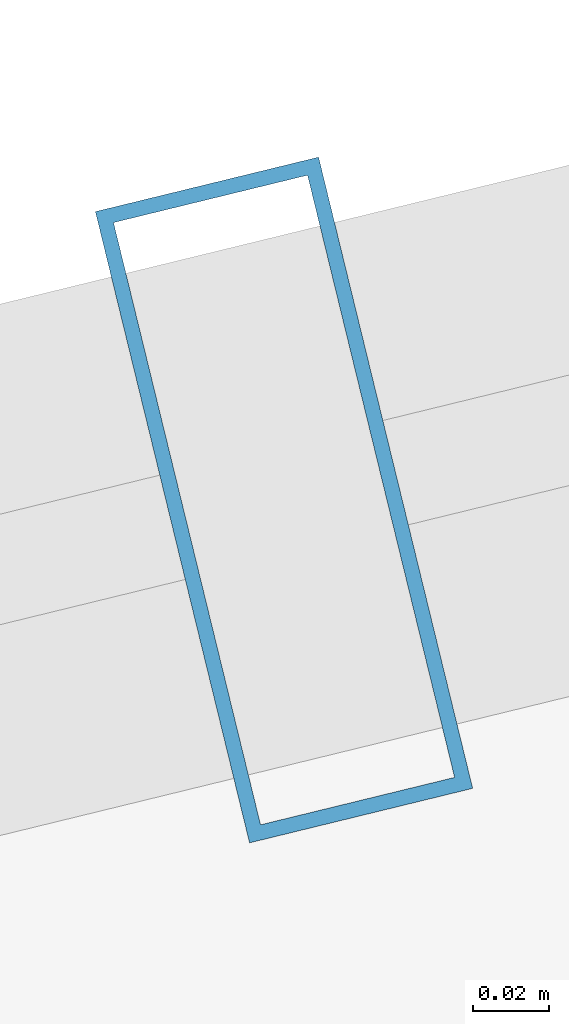
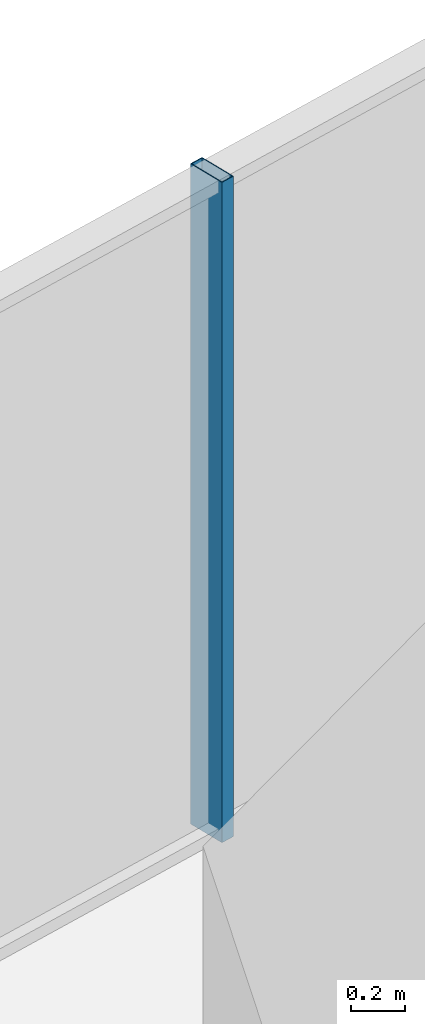
# One storey, part 24 of 37: 1 member, 1 element without a shape of its own.
"""IFC4 building model written with IfcOpenShell, lengths in metres."""

import ifcopenshell
import ifcopenshell.guid

model = None  # the IFC model being written
_history = None  # IfcOwnerHistory: only IFC2X3 demands one
_inside = {}  # id of a spatial element -> (the spatial element, [elements in it])
_under = {}  # id of a project, library or spatial element -> (it, [spatial elements below it])
_declared = {}  # id of a project -> (the project, [libraries it declares])
_typed = {}  # id of a type object -> (the type object, [elements of that type])
_made_of = {}  # id of a material, layer set ... -> (it, [elements and type objects made of it])


def new_model(schema):
    """Start an empty IFC model of exactly this schema.

    Asked for "IFC4X3", IfcOpenShell would pick the latest addendum, in which some entities
    have other attributes; the version numbers below select the first issue.
    IFC2X3 requires an IfcOwnerHistory on every rooted entity: one is made here for all.
    """
    global model, _history
    if schema == "IFC4X3":
        model = ifcopenshell.file(schema_version=(4, 3, 0, 0))
    else:
        model = ifcopenshell.file(schema=schema)
    _inside.clear()
    _under.clear()
    _declared.clear()
    _typed.clear()
    _made_of.clear()
    _history = None
    if model.schema == "IFC2X3":
        org = make("IfcOrganization", Name="unknown")
        user = make(
            "IfcPersonAndOrganization",
            ThePerson=make("IfcPerson", FamilyName="unknown"),
            TheOrganization=org,
        )
        app = make(
            "IfcApplication",
            ApplicationDeveloper=org,
            Version="unknown",
            ApplicationFullName="unknown",
            ApplicationIdentifier="unknown",
        )
        _history = make(
            "IfcOwnerHistory",
            OwningUser=user,
            OwningApplication=app,
            ChangeAction="ADDED",
            CreationDate=0,
        )
    return model


def make(cls, **values):
    """One entity of the class cls with the attributes given. An attribute that is None is left unset."""
    return model.create_entity(
        cls, **{name: value for name, value in values.items() if value is not None}
    )


def rooted(cls, **values):
    """An entity with a GlobalId (a new one), such as an element, a storey or a relation."""
    return make(cls, GlobalId=ifcopenshell.guid.new(), OwnerHistory=_history, **values)


def si_unit(unit_type, name, prefix=None):
    """IfcSIUnit, for example si_unit("LENGTHUNIT", "METRE", prefix="MILLI")."""
    return make("IfcSIUnit", UnitType=unit_type, Prefix=prefix, Name=name)


def assignment(units):
    """IfcUnitAssignment: the units of a project."""
    return None if units is None else make("IfcUnitAssignment", Units=units)


def point(xyz):
    """IfcCartesianPoint."""
    return None if xyz is None else make("IfcCartesianPoint", Coordinates=xyz)


def direction(xyz):
    """IfcDirection."""
    return None if xyz is None else make("IfcDirection", DirectionRatios=xyz)


def frame(location, z_axis=None, x_axis=None):
    """IfcAxis2Placement3D, a coordinate frame: its origin and axes. An axis left out is left unset."""
    return make(
        "IfcAxis2Placement3D",
        Location=point(location),
        Axis=direction(z_axis),
        RefDirection=direction(x_axis),
    )


def frame_2d(location, x_axis=None):
    """IfcAxis2Placement2D, a coordinate frame in the plane: its origin and x axis."""
    return make(
        "IfcAxis2Placement2D", Location=point(location), RefDirection=direction(x_axis)
    )


def origin():
    """The frame at (0, 0, 0) with its axes left unset."""
    return frame((0.0, 0.0, 0.0))


def origin_2d():
    """The frame at (0, 0) in the plane with its x axis left unset."""
    return frame_2d((0.0, 0.0))


def place(relative_to, where):
    """IfcLocalPlacement: puts the frame where relative to a parent placement (None: the world)."""
    return make(
        "IfcLocalPlacement", PlacementRelTo=relative_to, RelativePlacement=where
    )


def context(
    kind, dimensions, precision=None, world=None, true_north=None, identifier=None
):
    """IfcGeometricRepresentationContext, for example the 3D "Model" context."""
    return make(
        "IfcGeometricRepresentationContext",
        ContextIdentifier=identifier,
        ContextType=kind,
        CoordinateSpaceDimension=dimensions,
        Precision=precision,
        WorldCoordinateSystem=world,
        TrueNorth=true_north,
    )


def subcontext(parent, identifier, kind, view, scale=None):
    """IfcGeometricRepresentationSubContext, for example "Body" below "Model"."""
    return make(
        "IfcGeometricRepresentationSubContext",
        ContextIdentifier=identifier,
        ContextType=kind,
        ParentContext=parent,
        TargetScale=scale,
        TargetView=view,
    )


def project(units=None, contexts=None):
    """IfcProject with its units and contexts."""
    return rooted(
        "IfcProject",
        Name="project",
        RepresentationContexts=contexts,
        UnitsInContext=assignment(units),
    )


def spatial(cls, under=None, at=None, **own):
    """A site, building, storey or space (cls), placed at a placement, below another one or the project."""
    s = rooted(cls, ObjectPlacement=at, **own)
    if under is not None:
        _under.setdefault(under.id(), (under, []))[1].append(s)
    return s


def profile(cls, at=None, kind="AREA", **sizes):
    """A parametric profile (cls). Its sizes go by their IFC names, for example OverallWidth=200.0."""
    return make(cls, ProfileType=kind, Position=at, **sizes)


def hollow_rectangle(**sizes):
    """IfcRectangleHollowProfileDef."""
    return profile("IfcRectangleHollowProfileDef", **sizes)


def extrude(swept, where, along, depth):
    """IfcExtrudedAreaSolid: the profile swept, set in the frame where, extruded along a direction by depth."""
    return make(
        "IfcExtrudedAreaSolid",
        SweptArea=swept,
        Position=where,
        ExtrudedDirection=direction(along),
        Depth=depth,
    )


def shape(context_of_items, identifier, shape_type, items):
    """IfcShapeRepresentation: the items that make up one representation, for example the "Body"."""
    return make(
        "IfcShapeRepresentation",
        ContextOfItems=context_of_items,
        RepresentationIdentifier=identifier,
        RepresentationType=shape_type,
        Items=items,
    )


def source(mapping_origin, context_of_items, identifier, shape_type, items):
    """IfcRepresentationMap: a shape defined once, which mapped items show again and again."""
    return make(
        "IfcRepresentationMap",
        MappingOrigin=mapping_origin,
        MappedRepresentation=shape(context_of_items, identifier, shape_type, items),
    )


def transform(
    local_origin,
    x_axis=None,
    y_axis=None,
    z_axis=None,
    scale=None,
    scale2=None,
    scale3=None,
    uniform=True,
):
    """IfcCartesianTransformationOperator3D, or its non-uniform kind. x_axis, y_axis, z_axis: its Axis1, 2, 3."""
    if uniform:
        return make(
            "IfcCartesianTransformationOperator3D",
            Axis1=direction(x_axis),
            Axis2=direction(y_axis),
            LocalOrigin=point(local_origin),
            Scale=scale,
            Axis3=direction(z_axis),
        )
    return make(
        "IfcCartesianTransformationOperator3DnonUniform",
        Axis1=direction(x_axis),
        Axis2=direction(y_axis),
        LocalOrigin=point(local_origin),
        Scale=scale,
        Axis3=direction(z_axis),
        Scale2=scale2,
        Scale3=scale3,
    )


def mapped(mapping_source, mapping_target):
    """IfcMappedItem: shows the shape of a source again, moved by a transform."""
    return make(
        "IfcMappedItem", MappingSource=mapping_source, MappingTarget=mapping_target
    )


def material(Name=None, Category=None):
    """IfcMaterial."""
    return make("IfcMaterial", Name=Name, Category=Category)


def layer(
    of_material, thickness, ventilated=None, Name=None, Category=None, Priority=None
):
    """IfcMaterialLayer: one layer of a wall or slab, of a material (None: an air gap)."""
    return make(
        "IfcMaterialLayer",
        Material=of_material,
        LayerThickness=thickness,
        IsVentilated=ventilated,
        Name=Name,
        Category=Category,
        Priority=Priority,
    )


def layer_set(layers, Name=None):
    """IfcMaterialLayerSet."""
    return make("IfcMaterialLayerSet", MaterialLayers=layers, LayerSetName=Name)


def material_profile(
    of_material, cross_section, Name=None, Category=None, Priority=None
):
    """IfcMaterialProfile: a cross section and its material."""
    return make(
        "IfcMaterialProfile",
        Name=Name,
        Material=of_material,
        Profile=cross_section,
        Priority=Priority,
        Category=Category,
    )


def profile_set(profiles, Name=None, composite=None):
    """IfcMaterialProfileSet."""
    return make(
        "IfcMaterialProfileSet",
        Name=Name,
        MaterialProfiles=profiles,
        CompositeProfile=composite,
    )


def made_of(thing, what):
    """Note that an element or type object is made of a material, layer set ...; save() writes the relation."""
    if what is not None:
        _made_of.setdefault(what.id(), (what, []))[1].append(thing)
    return thing


def type_object(cls, material=None, **own):
    """A type object (cls), such as IfcWallType, which elements share."""
    return made_of(rooted(cls, **own), material)


def element(
    cls,
    number,
    at=None,
    inside=None,
    cuts=None,
    type_object=None,
    material=None,
    context=None,
    identifier="Body",
    shape_type=None,
    held_by="IfcProductDefinitionShape",
    body=None,
    shapes=None,
    **own,
):
    """One element of the class cls, such as IfcWall. Its Tag is "e" and its number.

    at: its placement. inside: the storey or other place that contains it. cuts: it is an
    opening in that element (IfcRelVoidsElement). A single representation is given by context,
    identifier, shape_type and body (its items); several are given by shapes. held_by: the class
    of the entity that holds the representations. save() writes the other relations.
    """
    e = rooted(cls, Tag="e%d" % number, ObjectPlacement=at, **own)
    if body is not None:
        shapes = [shape(context, identifier, shape_type, body)]
    if shapes is not None:
        e.Representation = make(held_by, Representations=shapes)
    if inside is not None:
        _inside.setdefault(inside.id(), (inside, []))[1].append(e)
    if cuts is not None:
        rooted(
            "IfcRelVoidsElement", RelatingBuildingElement=cuts, RelatedOpeningElement=e
        )
    if type_object is not None:
        _typed.setdefault(type_object.id(), (type_object, []))[1].append(e)
    return made_of(e, material)


def aggregate(whole, parts):
    """IfcRelAggregates: a whole, such as a stair, and the parts it consists of."""
    return rooted("IfcRelAggregates", RelatingObject=whole, RelatedObjects=parts)


def save(model, path):
    """Write the relations noted so far, then the file.

    IfcRelAggregates (storeys below a building ...), IfcRelContainedInSpatialStructure (elements
    in a storey), IfcRelDefinesByType, IfcRelAssociatesMaterial and IfcRelDeclares: one each for
    every whole, place, type object, material and project.
    """
    for whole, parts in _under.values():
        aggregate(whole, parts)
    for where, things in _inside.values():
        rooted(
            "IfcRelContainedInSpatialStructure",
            RelatedElements=things,
            RelatingStructure=where,
        )
    for kind, things in _typed.values():
        rooted("IfcRelDefinesByType", RelatedObjects=things, RelatingType=kind)
    for what, things in _made_of.values():
        rooted("IfcRelAssociatesMaterial", RelatedObjects=things, RelatingMaterial=what)
    for by, libraries in _declared.values():
        rooted("IfcRelDeclares", RelatingContext=by, RelatedDefinitions=libraries)
    model.write(path)


model = new_model("IFC4")

# Units and contexts
model_context = context("Model", 3, precision=1e-05, world=origin(), true_north=direction((0.0, 1.0)))
body_context = subcontext(model_context, "Body", "Model", "MODEL_VIEW")
ifc_project = project(units=[si_unit("LENGTHUNIT", "METRE"), si_unit("AREAUNIT", "SQUARE_METRE"), si_unit("VOLUMEUNIT", "CUBIC_METRE"), si_unit("PLANEANGLEUNIT", "RADIAN"), si_unit("MASSUNIT", "GRAM", prefix="KILO")], contexts=[model_context])

# Site, building, storey
site_placement = place(None, origin())
site = spatial("IfcSite", under=ifc_project, at=site_placement, CompositionType="ELEMENT")
building_placement = place(site_placement, origin())
building = spatial("IfcBuilding", under=site, at=building_placement, Name="Veraguas Prism Commons", CompositionType="ELEMENT")
storey_placement = place(building_placement, frame((0.0, 0.0, 70.60009765625)))
storey = spatial("IfcBuildingStorey", under=building, at=storey_placement, Name="L19", CompositionType="ELEMENT", Elevation=70.60009765625)

# Curtain wall, member
ifc_material = material(Name="Anodised aluminium EN AW-6063 T6", Category="aluminium")
ifc_layer = layer(ifc_material, 0.169921875, Name="Unitised Flush Curtain Wall Zone 1", Category="aluminium")
ifc_layer_set = layer_set([ifc_layer], Name="Anodised aluminium EN AW-6063 T6")
curtain_wall_type = type_object("IfcCurtainWallType", Name="Unitised Flush Curtain Wall Zone 1", PredefinedType="NOTDEFINED", material=ifc_layer_set)
curtain_wall_placement = place(storey_placement, origin())
curtain_wall = element("IfcCurtainWall", 1, at=curtain_wall_placement, inside=storey, type_object=curtain_wall_type, Name="Tower Facade Curtain Wall L19-F2", PredefinedType="NOTDEFINED")
ifc_material_profile = material_profile(ifc_material, hollow_rectangle(XDim=0.06005859375, YDim=0.169921875, WallThickness=0.00390625, at=origin_2d()), Name="AL60X170X4")
ifc_profile_set = profile_set([ifc_material_profile], Name="Anodised aluminium EN AW-6063 T6")
member_type = type_object("IfcMemberType", Name="Curtain Wall Mullion Lower AL 60x170x4", PredefinedType="MULLION", material=ifc_profile_set)
shared_shape = source(origin(), body_context, "Body", "SweptSolid", [
    extrude(hollow_rectangle(XDim=0.06005859375, YDim=0.169921875, WallThickness=0.00390625, at=origin_2d()), origin(), (0.0, 0.0, 1.0), 3.0),
])
member_placement = place(storey_placement, frame((19.0703125, 44.191650390625, 0.0), z_axis=(0.0, 0.0, 1.0), x_axis=(-0.971464732867, -0.237184048359, 0.0)))
member = element("IfcMember", 2, at=member_placement, type_object=member_type, Name="CW-Z1 Mullion 3", PredefinedType="MULLION", context=body_context, shape_type="MappedRepresentation", body=[
    mapped(shared_shape, transform((0.0, 0.0, 0.0), scale=1.0)),
])
aggregate(curtain_wall, [member])

save(model, "model.ifc")
